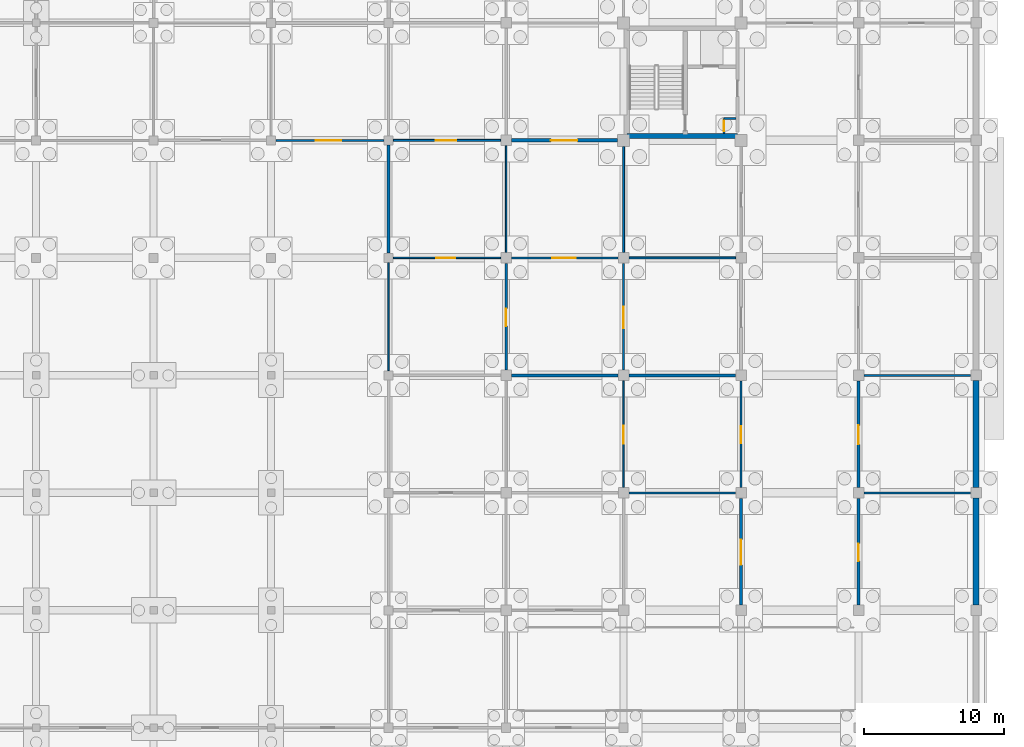
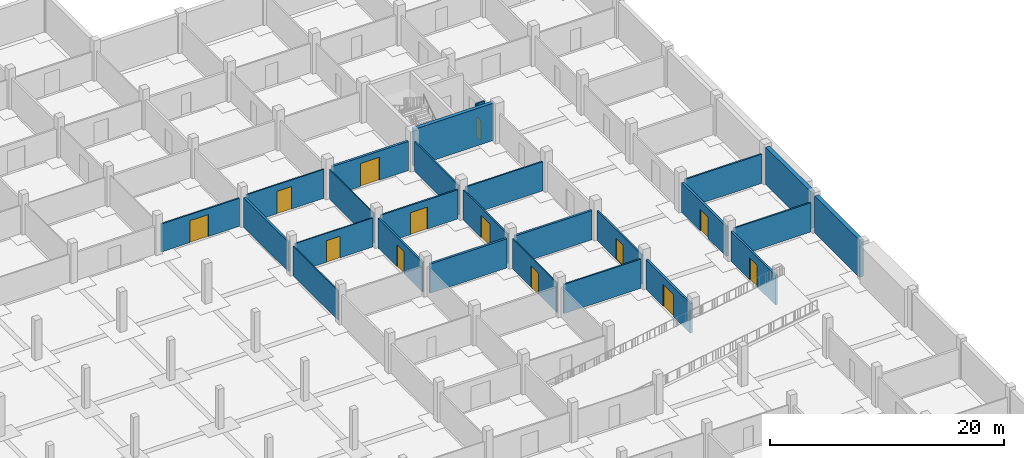
# One storey, part 35 of 43: 27 walls, 13 doors, 13 openings.
"""IFC4 building model written with IfcOpenShell, lengths in metres."""

import ifcopenshell
import ifcopenshell.guid

model = None  # the IFC model being written
_history = None  # IfcOwnerHistory: only IFC2X3 demands one
_inside = {}  # id of a spatial element -> (the spatial element, [elements in it])
_under = {}  # id of a project, library or spatial element -> (it, [spatial elements below it])
_declared = {}  # id of a project -> (the project, [libraries it declares])
_typed = {}  # id of a type object -> (the type object, [elements of that type])
_made_of = {}  # id of a material, layer set ... -> (it, [elements and type objects made of it])


def new_model(schema):
    """Start an empty IFC model of exactly this schema.

    Asked for "IFC4X3", IfcOpenShell would pick the latest addendum, in which some entities
    have other attributes; the version numbers below select the first issue.
    IFC2X3 requires an IfcOwnerHistory on every rooted entity: one is made here for all.
    """
    global model, _history
    if schema == "IFC4X3":
        model = ifcopenshell.file(schema_version=(4, 3, 0, 0))
    else:
        model = ifcopenshell.file(schema=schema)
    _inside.clear()
    _under.clear()
    _declared.clear()
    _typed.clear()
    _made_of.clear()
    _history = None
    if model.schema == "IFC2X3":
        org = make("IfcOrganization", Name="unknown")
        user = make(
            "IfcPersonAndOrganization",
            ThePerson=make("IfcPerson", FamilyName="unknown"),
            TheOrganization=org,
        )
        app = make(
            "IfcApplication",
            ApplicationDeveloper=org,
            Version="unknown",
            ApplicationFullName="unknown",
            ApplicationIdentifier="unknown",
        )
        _history = make(
            "IfcOwnerHistory",
            OwningUser=user,
            OwningApplication=app,
            ChangeAction="ADDED",
            CreationDate=0,
        )
    return model


def make(cls, **values):
    """One entity of the class cls with the attributes given. An attribute that is None is left unset."""
    return model.create_entity(
        cls, **{name: value for name, value in values.items() if value is not None}
    )


def rooted(cls, **values):
    """An entity with a GlobalId (a new one), such as an element, a storey or a relation."""
    return make(cls, GlobalId=ifcopenshell.guid.new(), OwnerHistory=_history, **values)


def si_unit(unit_type, name, prefix=None):
    """IfcSIUnit, for example si_unit("LENGTHUNIT", "METRE", prefix="MILLI")."""
    return make("IfcSIUnit", UnitType=unit_type, Prefix=prefix, Name=name)


def assignment(units):
    """IfcUnitAssignment: the units of a project."""
    return None if units is None else make("IfcUnitAssignment", Units=units)


def point(xyz):
    """IfcCartesianPoint."""
    return None if xyz is None else make("IfcCartesianPoint", Coordinates=xyz)


def direction(xyz):
    """IfcDirection."""
    return None if xyz is None else make("IfcDirection", DirectionRatios=xyz)


def frame(location, z_axis=None, x_axis=None):
    """IfcAxis2Placement3D, a coordinate frame: its origin and axes. An axis left out is left unset."""
    return make(
        "IfcAxis2Placement3D",
        Location=point(location),
        Axis=direction(z_axis),
        RefDirection=direction(x_axis),
    )


def frame_2d(location, x_axis=None):
    """IfcAxis2Placement2D, a coordinate frame in the plane: its origin and x axis."""
    return make(
        "IfcAxis2Placement2D", Location=point(location), RefDirection=direction(x_axis)
    )


def origin():
    """The frame at (0, 0, 0) with its axes left unset."""
    return frame((0.0, 0.0, 0.0))


def place(relative_to, where):
    """IfcLocalPlacement: puts the frame where relative to a parent placement (None: the world)."""
    return make(
        "IfcLocalPlacement", PlacementRelTo=relative_to, RelativePlacement=where
    )


def context(
    kind, dimensions, precision=None, world=None, true_north=None, identifier=None
):
    """IfcGeometricRepresentationContext, for example the 3D "Model" context."""
    return make(
        "IfcGeometricRepresentationContext",
        ContextIdentifier=identifier,
        ContextType=kind,
        CoordinateSpaceDimension=dimensions,
        Precision=precision,
        WorldCoordinateSystem=world,
        TrueNorth=true_north,
    )


def subcontext(parent, identifier, kind, view, scale=None):
    """IfcGeometricRepresentationSubContext, for example "Body" below "Model"."""
    return make(
        "IfcGeometricRepresentationSubContext",
        ContextIdentifier=identifier,
        ContextType=kind,
        ParentContext=parent,
        TargetScale=scale,
        TargetView=view,
    )


def project(units=None, contexts=None):
    """IfcProject with its units and contexts."""
    return rooted(
        "IfcProject",
        Name="project",
        RepresentationContexts=contexts,
        UnitsInContext=assignment(units),
    )


def spatial(cls, under=None, at=None, **own):
    """A site, building, storey or space (cls), placed at a placement, below another one or the project."""
    s = rooted(cls, ObjectPlacement=at, **own)
    if under is not None:
        _under.setdefault(under.id(), (under, []))[1].append(s)
    return s


def profile(cls, at=None, kind="AREA", **sizes):
    """A parametric profile (cls). Its sizes go by their IFC names, for example OverallWidth=200.0."""
    return make(cls, ProfileType=kind, Position=at, **sizes)


def rectangle(**sizes):
    """IfcRectangleProfileDef."""
    return profile("IfcRectangleProfileDef", **sizes)


def extrude(swept, where, along, depth):
    """IfcExtrudedAreaSolid: the profile swept, set in the frame where, extruded along a direction by depth."""
    return make(
        "IfcExtrudedAreaSolid",
        SweptArea=swept,
        Position=where,
        ExtrudedDirection=direction(along),
        Depth=depth,
    )


def shape(context_of_items, identifier, shape_type, items):
    """IfcShapeRepresentation: the items that make up one representation, for example the "Body"."""
    return make(
        "IfcShapeRepresentation",
        ContextOfItems=context_of_items,
        RepresentationIdentifier=identifier,
        RepresentationType=shape_type,
        Items=items,
    )


def material(Name=None, Category=None):
    """IfcMaterial."""
    return make("IfcMaterial", Name=Name, Category=Category)


def layer(
    of_material, thickness, ventilated=None, Name=None, Category=None, Priority=None
):
    """IfcMaterialLayer: one layer of a wall or slab, of a material (None: an air gap)."""
    return make(
        "IfcMaterialLayer",
        Material=of_material,
        LayerThickness=thickness,
        IsVentilated=ventilated,
        Name=Name,
        Category=Category,
        Priority=Priority,
    )


def layer_set(layers, Name=None):
    """IfcMaterialLayerSet."""
    return make("IfcMaterialLayerSet", MaterialLayers=layers, LayerSetName=Name)


def made_of(thing, what):
    """Note that an element or type object is made of a material, layer set ...; save() writes the relation."""
    if what is not None:
        _made_of.setdefault(what.id(), (what, []))[1].append(thing)
    return thing


def type_object(cls, material=None, **own):
    """A type object (cls), such as IfcWallType, which elements share."""
    return made_of(rooted(cls, **own), material)


def element(
    cls,
    number,
    at=None,
    inside=None,
    cuts=None,
    type_object=None,
    material=None,
    context=None,
    identifier="Body",
    shape_type=None,
    held_by="IfcProductDefinitionShape",
    body=None,
    shapes=None,
    **own,
):
    """One element of the class cls, such as IfcWall. Its Tag is "e" and its number.

    at: its placement. inside: the storey or other place that contains it. cuts: it is an
    opening in that element (IfcRelVoidsElement). A single representation is given by context,
    identifier, shape_type and body (its items); several are given by shapes. held_by: the class
    of the entity that holds the representations. save() writes the other relations.
    """
    e = rooted(cls, Tag="e%d" % number, ObjectPlacement=at, **own)
    if body is not None:
        shapes = [shape(context, identifier, shape_type, body)]
    if shapes is not None:
        e.Representation = make(held_by, Representations=shapes)
    if inside is not None:
        _inside.setdefault(inside.id(), (inside, []))[1].append(e)
    if cuts is not None:
        rooted(
            "IfcRelVoidsElement", RelatingBuildingElement=cuts, RelatedOpeningElement=e
        )
    if type_object is not None:
        _typed.setdefault(type_object.id(), (type_object, []))[1].append(e)
    return made_of(e, material)


def fill(opening, filler):
    """IfcRelFillsElement: the door or window that sits in an opening."""
    return rooted(
        "IfcRelFillsElement",
        RelatingOpeningElement=opening,
        RelatedBuildingElement=filler,
    )


def aggregate(whole, parts):
    """IfcRelAggregates: a whole, such as a stair, and the parts it consists of."""
    return rooted("IfcRelAggregates", RelatingObject=whole, RelatedObjects=parts)


def save(model, path):
    """Write the relations noted so far, then the file.

    IfcRelAggregates (storeys below a building ...), IfcRelContainedInSpatialStructure (elements
    in a storey), IfcRelDefinesByType, IfcRelAssociatesMaterial and IfcRelDeclares: one each for
    every whole, place, type object, material and project.
    """
    for whole, parts in _under.values():
        aggregate(whole, parts)
    for where, things in _inside.values():
        rooted(
            "IfcRelContainedInSpatialStructure",
            RelatedElements=things,
            RelatingStructure=where,
        )
    for kind, things in _typed.values():
        rooted("IfcRelDefinesByType", RelatedObjects=things, RelatingType=kind)
    for what, things in _made_of.values():
        rooted("IfcRelAssociatesMaterial", RelatedObjects=things, RelatingMaterial=what)
    for by, libraries in _declared.values():
        rooted("IfcRelDeclares", RelatingContext=by, RelatedDefinitions=libraries)
    model.write(path)


model = new_model("IFC4")

# Units and contexts
model_context = context("Model", 3, precision=1e-05, world=origin(), true_north=direction((0.0, 1.0)))
body_context = subcontext(model_context, "Body", "Model", "MODEL_VIEW")
ifc_project = project(units=[si_unit("LENGTHUNIT", "METRE"), si_unit("AREAUNIT", "SQUARE_METRE"), si_unit("VOLUMEUNIT", "CUBIC_METRE"), si_unit("PLANEANGLEUNIT", "RADIAN"), si_unit("MASSUNIT", "GRAM", prefix="KILO")], contexts=[model_context])

# Site, building, storey
site_placement = place(None, origin())
site = spatial("IfcSite", under=ifc_project, at=site_placement, CompositionType="ELEMENT")
building_placement = place(site_placement, origin())
building = spatial("IfcBuilding", under=site, at=building_placement, Name="Varnapada Polytechnic", CompositionType="ELEMENT")
storey_placement = place(building_placement, frame((0.0, 0.0, -4.199951171875)))
storey = spatial("IfcBuildingStorey", under=building, at=storey_placement, Name="B1", CompositionType="ELEMENT", Elevation=-4.199951171875)

# Wall, opening, door
ifc_material_1 = material(Name="Autoclaved Aerated Concrete Block AAC-600", Category="concrete")
ifc_layer_1 = layer(ifc_material_1, 0.14990234375)
ifc_layer_set_1 = layer_set([ifc_layer_1], Name="Autoclaved Aerated Concrete Block AAC-600")
wall_type_1 = type_object("IfcWallType", Name="Interior Wall IW-02", PredefinedType="PARTITIONING", material=ifc_layer_set_1)
wall_1_placement = place(storey_placement, frame((158.3798828125, 93.9599609375, 0.0), z_axis=(0.0, 0.0, 1.0), x_axis=(0.0, -1.0, 0.0)))
wall_1 = element("IfcWall", 1, at=wall_1_placement, inside=storey, type_object=wall_type_1, Name="B1 C5 riser shaft west wall", PredefinedType="PARTITIONING", context=body_context, shape_type="SweptSolid", body=[
    extrude(rectangle(XDim=1.06005859375, YDim=0.14990234375, at=frame_2d((0.530029296875, 0.0))), origin(), (0.0, 0.0, 1.0), 3.320068359375),
])
opening_1_placement = place(wall_1_placement, frame((0.159912109375, 0.0, 0.0)))
opening_1 = element("IfcOpeningElement", 2, at=opening_1_placement, cuts=wall_1, Name="Opening TD-06", PredefinedType="OPENING", context=body_context, shape_type="SweptSolid", body=[
    extrude(rectangle(XDim=0.75, YDim=2.050048828125, at=frame_2d((0.375, 1.02490234375))), frame((0.0, 0.0849609375, 0.0), z_axis=(0.0, -1.0, 0.0), x_axis=(1.0, 0.0, 0.0)), (0.0, 0.0, 1.0), 0.169921875),
])
ifc_material_2 = material(Name="Galvanized Steel Z275", Category="steel")
door_type_1 = type_object("IfcDoorType", Name="Interior Door TD-01", OperationType="NOTDEFINED", PredefinedType="TRAPDOOR", material=ifc_material_2)
door_1_placement = place(opening_1_placement, origin())
door_1 = element("IfcDoor", 3, at=door_1_placement, inside=storey, type_object=door_type_1, Name="B1 C5 riser access door TD-06", OperationType="SINGLE_SWING_LEFT", OverallHeight=2.050048828125, OverallWidth=0.75, PredefinedType="TRAPDOOR", context=body_context, shape_type="SweptSolid", body=[
    extrude(rectangle(XDim=0.75, YDim=2.050048828125, at=frame_2d((0.375, 1.02490234375))), frame((0.0, 0.02490234375, 0.0), z_axis=(0.0, -1.0, 0.0), x_axis=(1.0, 0.0, 0.0)), (0.0, 0.0, 1.0), 0.050048828125),
])
fill(opening_1, door_1)

# Walls
wall_2_placement = place(storey_placement, frame((158.3798828125, 93.9599609375, 0.0), z_axis=(0.0, 0.0, 1.0), x_axis=(1.0, 0.0, 0.0)))
element("IfcWall", 4, at=wall_2_placement, inside=storey, type_object=wall_type_1, Name="B1 C5 riser shaft north wall", PredefinedType="PARTITIONING", context=body_context, shape_type="SweptSolid", body=[
    extrude(rectangle(XDim=0.860107421875, YDim=0.14990234375, at=frame_2d((0.43017578125, 0.0))), origin(), (0.0, 0.0, 1.0), 3.320068359375),
])
ifc_material_3 = material(Name="Moisture-Resistant Cement Board Partition")
ifc_layer_2 = layer(ifc_material_3, 0.139892578125)
ifc_layer_set_2 = layer_set([ifc_layer_2], Name="Moisture-Resistant Cement Board Partition")
wall_type_2 = type_object("IfcWallType", Name="Interior Wall IW-04", PredefinedType="PARTITIONING", material=ifc_layer_set_2)
wall_3_placement = place(storey_placement, frame((151.199951171875, 84.39501953125, 0.0), z_axis=(0.0, 0.0, 1.0), x_axis=(0.0, 1.0, 0.0)))
element("IfcWall", 5, at=wall_3_placement, inside=storey, type_object=wall_type_2, Name="B1 interior partition IW-B1-17-10-V", PredefinedType="PARTITIONING", context=body_context, shape_type="SweptSolid", body=[
    extrude(rectangle(XDim=7.56005859375, YDim=0.139892578125, at=frame_2d((3.780029296875, 0.0))), origin(), (0.0, 0.0, 1.0), 3.099853515625),
])
wall_4_placement = place(storey_placement, frame((151.594970703125, 84.0, 0.0), z_axis=(0.0, 0.0, 1.0), x_axis=(1.0, 0.0, 0.0)))
element("IfcWall", 6, at=wall_4_placement, inside=storey, type_object=wall_type_2, Name="B1 interior partition IW-B1-18-09-H", PredefinedType="PARTITIONING", context=body_context, shape_type="SweptSolid", body=[
    extrude(rectangle(XDim=7.610107421875, YDim=0.139892578125, at=frame_2d((3.80517578125, 0.0))), origin(), (0.0, 0.0, 1.0), 3.050048828125),
])

# Wall, opening, door
ifc_material_4 = material(Name="Acoustic Double-Stud Studio Partition")
ifc_layer_3 = layer(ifc_material_4, 0.179931640625)
ifc_layer_set_3 = layer_set([ifc_layer_3], Name="Acoustic Double-Stud Studio Partition")
wall_type_3 = type_object("IfcWallType", Name="Interior Wall IW-06", PredefinedType="PARTITIONING", material=ifc_layer_set_3)
wall_5_placement = place(storey_placement, frame((142.800048828125, 75.9951171875, 0.0), z_axis=(0.0, 0.0, 1.0), x_axis=(0.0, 1.0, 0.0)))
wall_5 = element("IfcWall", 7, at=wall_5_placement, inside=storey, type_object=wall_type_3, Name="B1 interior partition IW-B1-16-09-V", PredefinedType="PARTITIONING", context=body_context, shape_type="SweptSolid", body=[
    extrude(rectangle(XDim=7.60986328125, YDim=0.179931640625, at=frame_2d((3.804931640625, 0.0))), origin(), (0.0, 0.0, 1.0), 3.099853515625),
])
opening_2_placement = place(wall_5_placement, frame((3.125, 0.0, 0.0)))
opening_2 = element("IfcOpeningElement", 8, at=opening_2_placement, cuts=wall_5, Name="Opening D-762", PredefinedType="OPENING", context=body_context, shape_type="SweptSolid", body=[
    extrude(rectangle(XDim=1.25, YDim=2.300048828125, at=frame_2d((0.625, 1.14990234375))), frame((0.0, 0.099853515625, 0.0), z_axis=(0.0, -1.0, 0.0), x_axis=(1.0, 0.0, 0.0)), (0.0, 0.0, 1.0), 0.199951171875),
])
ifc_material_5 = material(Name="Solid Teak Hardwood Timber", Category="wood")
door_type_2 = type_object("IfcDoorType", Name="Interior Door ID-16", OperationType="NOTDEFINED", PredefinedType="DOOR", material=ifc_material_5)
door_2_placement = place(opening_2_placement, origin())
door_2 = element("IfcDoor", 9, at=door_2_placement, inside=storey, type_object=door_type_2, Name="B1 interior room door D-762", OperationType="SINGLE_SWING_LEFT", OverallHeight=2.300048828125, OverallWidth=1.25, PredefinedType="DOOR", context=body_context, shape_type="SweptSolid", body=[
    extrude(rectangle(XDim=1.25, YDim=2.300048828125, at=frame_2d((0.625, 1.14990234375))), frame((0.0, 0.02490234375, 0.0), z_axis=(0.0, -1.0, 0.0), x_axis=(1.0, 0.0, 0.0)), (0.0, 0.0, 1.0), 0.050048828125),
])
fill(opening_2, door_2)

ifc_material_6 = material(Name="Glazed Timber-Framed Studio Screen", Category="wood")
ifc_layer_4 = layer(ifc_material_6, 0.110107421875)
ifc_layer_set_4 = layer_set([ifc_layer_4], Name="Glazed Timber-Framed Studio Screen")
wall_type_4 = type_object("IfcWallType", Name="Interior Wall IW-07", PredefinedType="PARTITIONING", material=ifc_layer_set_4)
wall_6_placement = place(storey_placement, frame((134.7451171875, 84.0, 0.0), z_axis=(0.0, 0.0, 1.0), x_axis=(1.0, 0.0, 0.0)))
wall_6 = element("IfcWall", 10, at=wall_6_placement, inside=storey, type_object=wall_type_4, Name="B1 interior partition IW-B1-16-09-H", PredefinedType="PARTITIONING", context=body_context, shape_type="SweptSolid", body=[
    extrude(rectangle(XDim=7.659912109375, YDim=0.110107421875, at=frame_2d((3.830078125, 0.0))), origin(), (0.0, 0.0, 1.0), 3.030029296875),
])
opening_3_placement = place(wall_6_placement, frame((3.074951171875, 0.0, 0.0)))
opening_3 = element("IfcOpeningElement", 11, at=opening_3_placement, cuts=wall_6, Name="Opening D-763", PredefinedType="OPENING", context=body_context, shape_type="SweptSolid", body=[
    extrude(rectangle(XDim=1.35009765625, YDim=2.25, at=frame_2d((0.675048828125, 1.125))), frame((0.0, 0.06494140625, 0.0), z_axis=(0.0, -1.0, 0.0), x_axis=(1.0, 0.0, 0.0)), (0.0, 0.0, 1.0), 0.130126953125),
])
ifc_material_7 = material(Name="Powder-Coated Aluminium 6063-T6", Category="aluminium")
door_type_3 = type_object("IfcDoorType", Name="Interior Door ID-17", OperationType="NOTDEFINED", PredefinedType="DOOR", material=ifc_material_7)
door_3_placement = place(opening_3_placement, origin())
door_3 = element("IfcDoor", 12, at=door_3_placement, inside=storey, type_object=door_type_3, Name="B1 interior room door D-763", OperationType="SINGLE_SWING_RIGHT", OverallHeight=2.25, OverallWidth=1.35009765625, PredefinedType="DOOR", context=body_context, shape_type="SweptSolid", body=[
    extrude(rectangle(XDim=1.35009765625, YDim=2.25, at=frame_2d((0.675048828125, 1.125))), frame((0.0, 0.02490234375, 0.0), z_axis=(0.0, -1.0, 0.0), x_axis=(1.0, 0.0, 0.0)), (0.0, 0.0, 1.0), 0.050048828125),
])
fill(opening_3, door_3)

# Wall
ifc_material_8 = material(Name="Operable Acoustic Seminar Partition")
ifc_layer_5 = layer(ifc_material_8, 0.10009765625)
ifc_layer_set_5 = layer_set([ifc_layer_5], Name="Operable Acoustic Seminar Partition")
wall_type_5 = type_object("IfcWallType", Name="Interior Wall IW-08", PredefinedType="MOVABLE", material=ifc_layer_set_5)
wall_7_placement = place(storey_placement, frame((142.800048828125, 84.39501953125, 0.0), z_axis=(0.0, 0.0, 1.0), x_axis=(0.0, 1.0, 0.0)))
element("IfcWall", 13, at=wall_7_placement, inside=storey, type_object=wall_type_5, Name="B1 interior partition IW-B1-16-10-V", PredefinedType="MOVABLE", context=body_context, shape_type="SweptSolid", body=[
    extrude(rectangle(XDim=7.60986328125, YDim=0.10009765625, at=frame_2d((3.804931640625, 0.0))), origin(), (0.0, 0.0, 1.0), 3.099853515625),
])

# Wall, opening, door
ifc_material_9 = material(Name="Calcium Silicate Acoustic Lab Partition")
ifc_layer_6 = layer(ifc_material_9, 0.135009765625)
ifc_layer_set_6 = layer_set([ifc_layer_6], Name="Calcium Silicate Acoustic Lab Partition")
wall_type_6 = type_object("IfcWallType", Name="Interior Wall IW-09", PredefinedType="PARTITIONING", material=ifc_layer_set_6)
wall_8_placement = place(storey_placement, frame((134.7451171875, 92.39990234375, 0.0), z_axis=(0.0, 0.0, 1.0), x_axis=(1.0, 0.0, 0.0)))
wall_8 = element("IfcWall", 14, at=wall_8_placement, inside=storey, type_object=wall_type_6, Name="B1 interior partition IW-B1-16-10-H", PredefinedType="PARTITIONING", context=body_context, shape_type="SweptSolid", body=[
    extrude(rectangle(XDim=7.659912109375, YDim=0.135009765625, at=frame_2d((3.830078125, 0.0))), origin(), (0.0, 0.0, 1.0), 3.030029296875),
])
opening_4_placement = place(wall_8_placement, frame((3.02490234375, 0.0, 0.0)))
opening_4 = element("IfcOpeningElement", 15, at=opening_4_placement, cuts=wall_8, Name="Opening D-764", PredefinedType="OPENING", context=body_context, shape_type="SweptSolid", body=[
    extrude(rectangle(XDim=1.449951171875, YDim=2.35009765625, at=frame_2d((0.72509765625, 1.175048828125))), frame((0.0, 0.077392578125, 0.0), z_axis=(0.0, -1.0, 0.0), x_axis=(1.0, 0.0, 0.0)), (0.0, 0.0, 1.0), 0.155029296875),
])
door_type_4 = type_object("IfcDoorType", Name="Interior Door ID-18", OperationType="NOTDEFINED", PredefinedType="DOOR", material=ifc_material_2)
door_4_placement = place(opening_4_placement, frame((1.449951171875, 0.0, 0.0), z_axis=(0.0, 0.0, 1.0), x_axis=(-1.0, 0.0, 0.0)))
door_4 = element("IfcDoor", 16, at=door_4_placement, inside=storey, type_object=door_type_4, Name="B1 interior room door D-764", OperationType="SINGLE_SWING_LEFT", OverallHeight=2.35009765625, OverallWidth=1.449951171875, PredefinedType="DOOR", context=body_context, shape_type="SweptSolid", body=[
    extrude(rectangle(XDim=1.449951171875, YDim=2.35009765625, at=frame_2d((0.72509765625, 1.175048828125))), frame((0.0, 0.02490234375, 0.0), z_axis=(0.0, -1.0, 0.0), x_axis=(1.0, 0.0, 0.0)), (0.0, 0.0, 1.0), 0.050048828125),
])
fill(opening_4, door_4)

# Wall
ifc_material_10 = material(Name="Timber-Stud Studio Critique Partition", Category="wood")
ifc_layer_7 = layer(ifc_material_10, 0.114990234375)
ifc_layer_set_7 = layer_set([ifc_layer_7], Name="Timber-Stud Studio Critique Partition")
wall_type_7 = type_object("IfcWallType", Name="Interior Wall IW-12", PredefinedType="PARTITIONING", material=ifc_layer_set_7)
wall_9_placement = place(storey_placement, frame((134.39990234375, 75.945068359375, 0.0), z_axis=(0.0, 0.0, 1.0), x_axis=(0.0, 1.0, 0.0)))
element("IfcWall", 17, at=wall_9_placement, inside=storey, type_object=wall_type_7, Name="B1 interior partition IW-B1-15-09-V", PredefinedType="PARTITIONING", context=body_context, shape_type="SweptSolid", body=[
    extrude(rectangle(XDim=7.7099609375, YDim=0.114990234375, at=frame_2d((3.85498046875, 0.0))), origin(), (0.0, 0.0, 1.0), 3.079833984375),
])

# Wall, opening, door
wall_10_placement = place(storey_placement, frame((151.199951171875, 67.594970703125, 0.0), z_axis=(0.0, 0.0, 1.0), x_axis=(0.0, 1.0, 0.0)))
wall_10 = element("IfcWall", 18, at=wall_10_placement, inside=storey, type_object=wall_type_7, Name="B1 interior partition IW-B1-17-08-V", PredefinedType="PARTITIONING", context=body_context, shape_type="SweptSolid", body=[
    extrude(rectangle(XDim=7.610107421875, YDim=0.114990234375, at=frame_2d((3.80517578125, 0.0))), origin(), (0.0, 0.0, 1.0), 3.099853515625),
])
opening_5_placement = place(wall_10_placement, frame((3.10009765625, 0.0, 0.0)))
opening_5 = element("IfcOpeningElement", 19, at=opening_5_placement, cuts=wall_10, Name="Opening D-774", PredefinedType="OPENING", context=body_context, shape_type="SweptSolid", body=[
    extrude(rectangle(XDim=1.300048828125, YDim=2.199951171875, at=frame_2d((0.64990234375, 1.10009765625))), frame((0.0, 0.0673828125, 0.0), z_axis=(0.0, -1.0, 0.0), x_axis=(1.0, 0.0, 0.0)), (0.0, 0.0, 1.0), 0.135009765625),
])
ifc_material_11 = material(Name="Acoustic Laminated Timber Leaf", Category="wood")
door_type_5 = type_object("IfcDoorType", Name="Interior Door ID-11", OperationType="NOTDEFINED", PredefinedType="DOOR", material=ifc_material_11)
door_5_placement = place(opening_5_placement, origin())
door_5 = element("IfcDoor", 20, at=door_5_placement, inside=storey, type_object=door_type_5, Name="B1 interior room door D-774", OperationType="SINGLE_SWING_LEFT", OverallHeight=2.199951171875, OverallWidth=1.300048828125, PredefinedType="DOOR", context=body_context, shape_type="SweptSolid", body=[
    extrude(rectangle(XDim=1.300048828125, YDim=2.199951171875, at=frame_2d((0.64990234375, 1.10009765625))), frame((0.0, 0.02490234375, 0.0), z_axis=(0.0, -1.0, 0.0), x_axis=(1.0, 0.0, 0.0)), (0.0, 0.0, 1.0), 0.050048828125),
])
fill(opening_5, door_5)

# Walls
ifc_material_12 = material(Name="Heavy Acoustic Auditorium Baffle Wall")
ifc_layer_8 = layer(ifc_material_12, 0.219970703125)
ifc_layer_set_8 = layer_set([ifc_layer_8], Name="Heavy Acoustic Auditorium Baffle Wall")
wall_type_8 = type_object("IfcWallType", Name="Interior Wall IW-13", PredefinedType="PARTITIONING", material=ifc_layer_set_8)
wall_11_placement = place(storey_placement, frame((134.39990234375, 84.344970703125, 0.0), z_axis=(0.0, 0.0, 1.0), x_axis=(0.0, 1.0, 0.0)))
element("IfcWall", 21, at=wall_11_placement, inside=storey, type_object=wall_type_8, Name="B1 interior partition IW-B1-15-10-V", PredefinedType="PARTITIONING", context=body_context, shape_type="SweptSolid", body=[
    extrude(rectangle(XDim=7.7099609375, YDim=0.219970703125, at=frame_2d((3.85498046875, 0.0))), origin(), (0.0, 0.0, 1.0), 3.079833984375),
])
wall_12_placement = place(storey_placement, frame((143.195068359375, 75.60009765625, 0.0), z_axis=(0.0, 0.0, 1.0), x_axis=(1.0, 0.0, 0.0)))
element("IfcWall", 22, at=wall_12_placement, inside=storey, type_object=wall_type_8, Name="B1 interior partition IW-B1-17-08-H", PredefinedType="PARTITIONING", context=body_context, shape_type="SweptSolid", body=[
    extrude(rectangle(XDim=7.60986328125, YDim=0.219970703125, at=frame_2d((3.804931640625, 0.0))), origin(), (0.0, 0.0, 1.0), 3.050048828125),
])

# Wall, opening, door
wall_13_placement = place(storey_placement, frame((159.60009765625, 59.195068359375, 0.0), z_axis=(0.0, 0.0, 1.0), x_axis=(0.0, 1.0, 0.0)))
wall_13 = element("IfcWall", 23, at=wall_13_placement, inside=storey, type_object=wall_type_8, Name="B1 interior partition IW-B1-18-07-V", PredefinedType="PARTITIONING", context=body_context, shape_type="SweptSolid", body=[
    extrude(rectangle(XDim=7.60986328125, YDim=0.219970703125, at=frame_2d((3.804931640625, 0.0))), origin(), (0.0, 0.0, 1.0), 3.099853515625),
])
opening_6_placement = place(wall_13_placement, frame((2.85009765625, 0.0, 0.0)))
opening_6 = element("IfcOpeningElement", 24, at=opening_6_placement, cuts=wall_13, Name="Opening D-784", PredefinedType="OPENING", context=body_context, shape_type="SweptSolid", body=[
    extrude(rectangle(XDim=1.800048828125, YDim=2.300048828125, at=frame_2d((0.89990234375, 1.14990234375))), frame((0.0, 0.119873046875, 0.0), z_axis=(0.0, -1.0, 0.0), x_axis=(1.0, 0.0, 0.0)), (0.0, 0.0, 1.0), 0.239990234375),
])
ifc_material_13 = material(Name="Acoustic Double Timber Leaf", Category="wood")
door_type_6 = type_object("IfcDoorType", Name="Interior Door ID-04", OperationType="NOTDEFINED", PredefinedType="DOOR", material=ifc_material_13)
door_6_placement = place(opening_6_placement, origin())
door_6 = element("IfcDoor", 25, at=door_6_placement, inside=storey, type_object=door_type_6, Name="B1 interior room door D-784", OperationType="SINGLE_SWING_LEFT", OverallHeight=2.300048828125, OverallWidth=1.800048828125, PredefinedType="DOOR", context=body_context, shape_type="SweptSolid", body=[
    extrude(rectangle(XDim=1.800048828125, YDim=2.300048828125, at=frame_2d((0.89990234375, 1.14990234375))), frame((0.0, 0.02490234375, 0.0), z_axis=(0.0, -1.0, 0.0), x_axis=(1.0, 0.0, 0.0)), (0.0, 0.0, 1.0), 0.050048828125),
])
fill(opening_6, door_6)

ifc_material_14 = material(Name="Ceramic-Tiled Wet Laboratory Wall")
ifc_layer_9 = layer(ifc_material_14, 0.14501953125)
ifc_layer_set_9 = layer_set([ifc_layer_9], Name="Ceramic-Tiled Wet Laboratory Wall")
wall_type_9 = type_object("IfcWallType", Name="Interior Wall IW-14", PredefinedType="PARTITIONING", material=ifc_layer_set_9)
wall_14_placement = place(storey_placement, frame((126.344970703125, 92.39990234375, 0.0), z_axis=(0.0, 0.0, 1.0), x_axis=(1.0, 0.0, 0.0)))
wall_14 = element("IfcWall", 26, at=wall_14_placement, inside=storey, type_object=wall_type_9, Name="B1 interior partition IW-B1-15-10-H", PredefinedType="PARTITIONING", context=body_context, shape_type="SweptSolid", body=[
    extrude(rectangle(XDim=7.7099609375, YDim=0.14501953125, at=frame_2d((3.85498046875, 0.0))), origin(), (0.0, 0.0, 1.0), 2.929931640625),
])
opening_7_placement = place(wall_14_placement, frame((2.85009765625, 0.0, 0.0)))
opening_7 = element("IfcOpeningElement", 27, at=opening_7_placement, cuts=wall_14, Name="Opening D-750", PredefinedType="OPENING", context=body_context, shape_type="SweptSolid", body=[
    extrude(rectangle(XDim=1.800048828125, YDim=2.300048828125, at=frame_2d((0.89990234375, 1.14990234375))), frame((0.0, 0.08251953125, 0.0), z_axis=(0.0, -1.0, 0.0), x_axis=(1.0, 0.0, 0.0)), (0.0, 0.0, 1.0), 0.1650390625),
])
door_7_placement = place(opening_7_placement, origin())
door_7 = element("IfcDoor", 28, at=door_7_placement, inside=storey, type_object=door_type_6, Name="B1 interior room door D-750", OperationType="SINGLE_SWING_LEFT", OverallHeight=2.300048828125, OverallWidth=1.800048828125, PredefinedType="DOOR", context=body_context, shape_type="SweptSolid", body=[
    extrude(rectangle(XDim=1.800048828125, YDim=2.300048828125, at=frame_2d((0.89990234375, 1.14990234375))), frame((0.0, 0.02490234375, 0.0), z_axis=(0.0, -1.0, 0.0), x_axis=(1.0, 0.0, 0.0)), (0.0, 0.0, 1.0), 0.050048828125),
])
fill(opening_7, door_7)

wall_15_placement = place(storey_placement, frame((151.199951171875, 75.9951171875, 0.0), z_axis=(0.0, 0.0, 1.0), x_axis=(0.0, 1.0, 0.0)))
wall_15 = element("IfcWall", 29, at=wall_15_placement, inside=storey, type_object=wall_type_9, Name="B1 interior partition IW-B1-17-09-V", PredefinedType="PARTITIONING", context=body_context, shape_type="SweptSolid", body=[
    extrude(rectangle(XDim=7.60986328125, YDim=0.14501953125, at=frame_2d((3.804931640625, 0.0))), origin(), (0.0, 0.0, 1.0), 3.099853515625),
])
opening_8_placement = place(wall_15_placement, frame((2.97509765625, 0.0, 0.0)))
opening_8 = element("IfcOpeningElement", 30, at=opening_8_placement, cuts=wall_15, Name="Opening D-775", PredefinedType="OPENING", context=body_context, shape_type="SweptSolid", body=[
    extrude(rectangle(XDim=1.550048828125, YDim=2.35009765625, at=frame_2d((0.77490234375, 1.175048828125))), frame((0.0, 0.08251953125, 0.0), z_axis=(0.0, -1.0, 0.0), x_axis=(1.0, 0.0, 0.0)), (0.0, 0.0, 1.0), 0.1650390625),
])
door_type_7 = type_object("IfcDoorType", Name="Interior Door ID-12", OperationType="NOTDEFINED", PredefinedType="DOOR", material=ifc_material_2)
door_8_placement = place(opening_8_placement, origin())
door_8 = element("IfcDoor", 31, at=door_8_placement, inside=storey, type_object=door_type_7, Name="B1 interior room door D-775", OperationType="SINGLE_SWING_RIGHT", OverallHeight=2.35009765625, OverallWidth=1.550048828125, PredefinedType="DOOR", context=body_context, shape_type="SweptSolid", body=[
    extrude(rectangle(XDim=1.550048828125, YDim=2.35009765625, at=frame_2d((0.77490234375, 1.175048828125))), frame((0.0, 0.02490234375, 0.0), z_axis=(0.0, -1.0, 0.0), x_axis=(1.0, 0.0, 0.0)), (0.0, 0.0, 1.0), 0.050048828125),
])
fill(opening_8, door_8)

# Walls
wall_16_placement = place(storey_placement, frame((151.594970703125, 67.199951171875, 0.0), z_axis=(0.0, 0.0, 1.0), x_axis=(1.0, 0.0, 0.0)))
element("IfcWall", 32, at=wall_16_placement, inside=storey, type_object=wall_type_9, Name="B1 interior partition IW-B1-18-07-H", PredefinedType="PARTITIONING", context=body_context, shape_type="SweptSolid", body=[
    extrude(rectangle(XDim=7.610107421875, YDim=0.14501953125, at=frame_2d((3.80517578125, 0.0))), origin(), (0.0, 0.0, 1.0), 3.050048828125),
])
wall_17_placement = place(storey_placement, frame((168.39501953125, 67.199951171875, 0.0), z_axis=(0.0, 0.0, 1.0), x_axis=(1.0, 0.0, 0.0)))
element("IfcWall", 33, at=wall_17_placement, inside=storey, type_object=wall_type_9, Name="B1 interior partition IW-B1-20-07-H", PredefinedType="PARTITIONING", context=body_context, shape_type="SweptSolid", body=[
    extrude(rectangle(XDim=7.60986328125, YDim=0.14501953125, at=frame_2d((3.804931640625, 0.0))), origin(), (0.0, 0.0, 1.0), 3.050048828125),
])

# Wall, opening, door
ifc_material_15 = material(Name="Perforated Timber-Lined Seminar Wall", Category="wood")
ifc_layer_10 = layer(ifc_material_15, 0.155029296875)
ifc_layer_set_10 = layer_set([ifc_layer_10], Name="Perforated Timber-Lined Seminar Wall")
wall_type_10 = type_object("IfcWallType", Name="Interior Wall IW-15", PredefinedType="PARTITIONING", material=ifc_layer_set_10)
wall_18_placement = place(storey_placement, frame((143.195068359375, 84.0, 0.0), z_axis=(0.0, 0.0, 1.0), x_axis=(1.0, 0.0, 0.0)))
wall_18 = element("IfcWall", 34, at=wall_18_placement, inside=storey, type_object=wall_type_10, Name="B1 interior partition IW-B1-17-09-H", PredefinedType="PARTITIONING", context=body_context, shape_type="SweptSolid", body=[
    extrude(rectangle(XDim=7.60986328125, YDim=0.155029296875, at=frame_2d((3.804931640625, 0.0))), origin(), (0.0, 0.0, 1.0), 3.050048828125),
])
opening_9_placement = place(wall_18_placement, frame((2.89990234375, 0.0, 0.0)))
opening_9 = element("IfcOpeningElement", 35, at=opening_9_placement, cuts=wall_18, Name="Opening D-776", PredefinedType="OPENING", context=body_context, shape_type="SweptSolid", body=[
    extrude(rectangle(XDim=1.699951171875, YDim=2.300048828125, at=frame_2d((0.85009765625, 1.14990234375))), frame((0.0, 0.08740234375, 0.0), z_axis=(0.0, -1.0, 0.0), x_axis=(1.0, 0.0, 0.0)), (0.0, 0.0, 1.0), 0.175048828125),
])
door_type_8 = type_object("IfcDoorType", Name="Interior Door ID-13", OperationType="NOTDEFINED", PredefinedType="DOOR", material=ifc_material_13)
door_9_placement = place(opening_9_placement, frame((1.699951171875, 0.0, 0.0), z_axis=(0.0, 0.0, 1.0), x_axis=(-1.0, 0.0, 0.0)))
door_9 = element("IfcDoor", 36, at=door_9_placement, inside=storey, type_object=door_type_8, Name="B1 interior room door D-776", OperationType="SINGLE_SWING_LEFT", OverallHeight=2.300048828125, OverallWidth=1.699951171875, PredefinedType="DOOR", context=body_context, shape_type="SweptSolid", body=[
    extrude(rectangle(XDim=1.699951171875, YDim=2.300048828125, at=frame_2d((0.85009765625, 1.14990234375))), frame((0.0, 0.02490234375, 0.0), z_axis=(0.0, -1.0, 0.0), x_axis=(1.0, 0.0, 0.0)), (0.0, 0.0, 1.0), 0.050048828125),
])
fill(opening_9, door_9)

wall_19_placement = place(storey_placement, frame((159.60009765625, 67.594970703125, 0.0), z_axis=(0.0, 0.0, 1.0), x_axis=(0.0, 1.0, 0.0)))
wall_19 = element("IfcWall", 37, at=wall_19_placement, inside=storey, type_object=wall_type_10, Name="B1 interior partition IW-B1-18-08-V", PredefinedType="PARTITIONING", context=body_context, shape_type="SweptSolid", body=[
    extrude(rectangle(XDim=7.610107421875, YDim=0.155029296875, at=frame_2d((3.80517578125, 0.0))), origin(), (0.0, 0.0, 1.0), 3.099853515625),
])
opening_10_placement = place(wall_19_placement, frame((3.14990234375, 0.0, 0.0)))
opening_10 = element("IfcOpeningElement", 38, at=opening_10_placement, cuts=wall_19, Name="Opening D-785", PredefinedType="OPENING", context=body_context, shape_type="SweptSolid", body=[
    extrude(rectangle(XDim=1.199951171875, YDim=2.199951171875, at=frame_2d((0.60009765625, 1.10009765625))), frame((0.0, 0.08740234375, 0.0), z_axis=(0.0, -1.0, 0.0), x_axis=(1.0, 0.0, 0.0)), (0.0, 0.0, 1.0), 0.175048828125),
])
door_type_9 = type_object("IfcDoorType", Name="Interior Door ID-05", OperationType="NOTDEFINED", PredefinedType="DOOR", material=ifc_material_5)
door_10_placement = place(opening_10_placement, frame((1.199951171875, 0.0, 0.0), z_axis=(0.0, 0.0, 1.0), x_axis=(-1.0, 0.0, 0.0)))
door_10 = element("IfcDoor", 39, at=door_10_placement, inside=storey, type_object=door_type_9, Name="B1 interior room door D-785", OperationType="SINGLE_SWING_RIGHT", OverallHeight=2.199951171875, OverallWidth=1.199951171875, PredefinedType="DOOR", context=body_context, shape_type="SweptSolid", body=[
    extrude(rectangle(XDim=1.199951171875, YDim=2.199951171875, at=frame_2d((0.60009765625, 1.10009765625))), frame((0.0, 0.02490234375, 0.0), z_axis=(0.0, -1.0, 0.0), x_axis=(1.0, 0.0, 0.0)), (0.0, 0.0, 1.0), 0.050048828125),
])
fill(opening_10, door_10)

# Walls
wall_20_placement = place(storey_placement, frame((168.39501953125, 75.60009765625, 0.0), z_axis=(0.0, 0.0, 1.0), x_axis=(1.0, 0.0, 0.0)))
element("IfcWall", 40, at=wall_20_placement, inside=storey, type_object=wall_type_10, Name="B1 interior partition IW-B1-20-08-H", PredefinedType="PARTITIONING", context=body_context, shape_type="SweptSolid", body=[
    extrude(rectangle(XDim=7.60986328125, YDim=0.155029296875, at=frame_2d((3.804931640625, 0.0))), origin(), (0.0, 0.0, 1.0), 3.050048828125),
])
ifc_material_16 = material(Name="Heavy Masonry Workshop Partition", Category="masonry")
ifc_layer_11 = layer(ifc_material_16, 0.2099609375)
ifc_layer_set_11 = layer_set([ifc_layer_11], Name="Heavy Masonry Workshop Partition")
wall_type_11 = type_object("IfcWallType", Name="Interior Wall IW-16", PredefinedType="PARTITIONING", material=ifc_layer_set_11)
wall_21_placement = place(storey_placement, frame((151.594970703125, 75.60009765625, 0.0), z_axis=(0.0, 0.0, 1.0), x_axis=(1.0, 0.0, 0.0)))
element("IfcWall", 41, at=wall_21_placement, inside=storey, type_object=wall_type_11, Name="B1 interior partition IW-B1-18-08-H", PredefinedType="PARTITIONING", context=body_context, shape_type="SweptSolid", body=[
    extrude(rectangle(XDim=7.610107421875, YDim=0.2099609375, at=frame_2d((3.80517578125, 0.0))), origin(), (0.0, 0.0, 1.0), 3.050048828125),
])

# Wall, opening, door
wall_22_placement = place(storey_placement, frame((168.0, 59.195068359375, 0.0), z_axis=(0.0, 0.0, 1.0), x_axis=(0.0, 1.0, 0.0)))
wall_22 = element("IfcWall", 42, at=wall_22_placement, inside=storey, type_object=wall_type_11, Name="B1 interior partition IW-B1-19-07-V", PredefinedType="PARTITIONING", context=body_context, shape_type="SweptSolid", body=[
    extrude(rectangle(XDim=7.60986328125, YDim=0.2099609375, at=frame_2d((3.804931640625, 0.0))), origin(), (0.0, 0.0, 1.0), 3.099853515625),
])
opening_11_placement = place(wall_22_placement, frame((3.125, 0.0, 0.0)))
opening_11 = element("IfcOpeningElement", 43, at=opening_11_placement, cuts=wall_22, Name="Opening D-796", PredefinedType="OPENING", context=body_context, shape_type="SweptSolid", body=[
    extrude(rectangle(XDim=1.25, YDim=2.300048828125, at=frame_2d((0.625, 1.14990234375))), frame((0.0, 0.114990234375, 0.0), z_axis=(0.0, -1.0, 0.0), x_axis=(1.0, 0.0, 0.0)), (0.0, 0.0, 1.0), 0.22998046875),
])
door_11_placement = place(opening_11_placement, origin())
door_11 = element("IfcDoor", 44, at=door_11_placement, inside=storey, type_object=door_type_2, Name="B1 interior room door D-796", OperationType="SINGLE_SWING_LEFT", OverallHeight=2.300048828125, OverallWidth=1.25, PredefinedType="DOOR", context=body_context, shape_type="SweptSolid", body=[
    extrude(rectangle(XDim=1.25, YDim=2.300048828125, at=frame_2d((0.625, 1.14990234375))), frame((0.0, 0.02490234375, 0.0), z_axis=(0.0, -1.0, 0.0), x_axis=(1.0, 0.0, 0.0)), (0.0, 0.0, 1.0), 0.050048828125),
])
fill(opening_11, door_11)

ifc_material_17 = material(Name="Double-Leaf Acoustic Lecture Wall")
ifc_layer_12 = layer(ifc_material_17, 0.235107421875)
ifc_layer_set_12 = layer_set([ifc_layer_12], Name="Double-Leaf Acoustic Lecture Wall")
wall_type_12 = type_object("IfcWallType", Name="Interior Wall IW-17", PredefinedType="PARTITIONING", material=ifc_layer_set_12)
wall_23_placement = place(storey_placement, frame((143.195068359375, 92.39990234375, 0.0), z_axis=(0.0, 0.0, 1.0), x_axis=(1.0, 0.0, 0.0)))
wall_23 = element("IfcWall", 45, at=wall_23_placement, inside=storey, type_object=wall_type_12, Name="B1 interior partition IW-B1-17-10-H", PredefinedType="PARTITIONING", context=body_context, shape_type="SweptSolid", body=[
    extrude(rectangle(XDim=7.559814453125, YDim=0.235107421875, at=frame_2d((3.77978515625, 0.0))), origin(), (0.0, 0.0, 1.0), 3.050048828125),
])
opening_12_placement = place(wall_23_placement, frame((2.800048828125, 0.0, 0.0)))
opening_12 = element("IfcOpeningElement", 46, at=opening_12_placement, cuts=wall_23, Name="Opening D-777", PredefinedType="OPENING", context=body_context, shape_type="SweptSolid", body=[
    extrude(rectangle(XDim=1.89990234375, YDim=2.39990234375, at=frame_2d((0.949951171875, 1.199951171875))), frame((0.0, 0.12744140625, 0.0), z_axis=(0.0, -1.0, 0.0), x_axis=(1.0, 0.0, 0.0)), (0.0, 0.0, 1.0), 0.255126953125),
])
ifc_material_18 = material(Name="Heavy Workshop Double Steel Door", Category="steel")
door_type_10 = type_object("IfcDoorType", Name="Interior Door ID-14", OperationType="NOTDEFINED", PredefinedType="DOOR", material=ifc_material_18)
door_12_placement = place(opening_12_placement, origin())
door_12 = element("IfcDoor", 47, at=door_12_placement, inside=storey, type_object=door_type_10, Name="B1 interior room door D-777", OperationType="SINGLE_SWING_RIGHT", OverallHeight=2.39990234375, OverallWidth=1.89990234375, PredefinedType="DOOR", context=body_context, shape_type="SweptSolid", body=[
    extrude(rectangle(XDim=1.89990234375, YDim=2.39990234375, at=frame_2d((0.949951171875, 1.199951171875))), frame((0.0, 0.02490234375, 0.0), z_axis=(0.0, -1.0, 0.0), x_axis=(1.0, 0.0, 0.0)), (0.0, 0.0, 1.0), 0.050048828125),
])
fill(opening_12, door_12)

wall_24_placement = place(storey_placement, frame((168.0, 67.594970703125, 0.0), z_axis=(0.0, 0.0, 1.0), x_axis=(0.0, 1.0, 0.0)))
wall_24 = element("IfcWall", 48, at=wall_24_placement, inside=storey, type_object=wall_type_12, Name="B1 interior partition IW-B1-19-08-V", PredefinedType="PARTITIONING", context=body_context, shape_type="SweptSolid", body=[
    extrude(rectangle(XDim=7.610107421875, YDim=0.235107421875, at=frame_2d((3.80517578125, 0.0))), origin(), (0.0, 0.0, 1.0), 3.099853515625),
])
opening_13_placement = place(wall_24_placement, frame((3.074951171875, 0.0, 0.0)))
opening_13 = element("IfcOpeningElement", 49, at=opening_13_placement, cuts=wall_24, Name="Opening D-797", PredefinedType="OPENING", context=body_context, shape_type="SweptSolid", body=[
    extrude(rectangle(XDim=1.35009765625, YDim=2.25, at=frame_2d((0.675048828125, 1.125))), frame((0.0, 0.12744140625, 0.0), z_axis=(0.0, -1.0, 0.0), x_axis=(1.0, 0.0, 0.0)), (0.0, 0.0, 1.0), 0.255126953125),
])
door_13_placement = place(opening_13_placement, frame((1.35009765625, 0.0, 0.0), z_axis=(0.0, 0.0, 1.0), x_axis=(-1.0, 0.0, 0.0)))
door_13 = element("IfcDoor", 50, at=door_13_placement, inside=storey, type_object=door_type_3, Name="B1 interior room door D-797", OperationType="SINGLE_SWING_RIGHT", OverallHeight=2.25, OverallWidth=1.35009765625, PredefinedType="DOOR", context=body_context, shape_type="SweptSolid", body=[
    extrude(rectangle(XDim=1.35009765625, YDim=2.25, at=frame_2d((0.675048828125, 1.125))), frame((0.0, 0.02490234375, 0.0), z_axis=(0.0, -1.0, 0.0), x_axis=(1.0, 0.0, 0.0)), (0.0, 0.0, 1.0), 0.050048828125),
])
fill(opening_13, door_13)

# Walls
ifc_material_19 = material(Name="Concrete C40/50", Category="concrete")
ifc_layer_13 = layer(ifc_material_19, 0.35009765625)
ifc_layer_set_13 = layer_set([ifc_layer_13], Name="Concrete C40/50")
wall_type_13 = type_object("IfcWallType", Name="Interior Wall SW-01", PredefinedType="SHEAR", material=ifc_layer_set_13)
wall_25_placement = place(storey_placement, frame((159.340087890625, 92.719970703125, 0.0), z_axis=(0.0, 0.0, 1.0), x_axis=(-1.0, 0.0, 0.0)))
element("IfcWall", 51, at=wall_25_placement, inside=storey, type_object=wall_type_13, Name="B1 C5 core south shear wall", PredefinedType="SHEAR", context=body_context, shape_type="SweptSolid", body=[
    extrude(rectangle(XDim=7.900146484375, YDim=0.35009765625, at=frame_2d((3.9501953125, 0.0))), origin(), (0.0, 0.0, 1.0), 3.89990234375),
])
ifc_layer_14 = layer(ifc_material_19, 0.39990234375)
ifc_layer_set_14 = layer_set([ifc_layer_14], Name="Concrete C40/50")
wall_type_14 = type_object("IfcWallType", Name="Wall RW-01", PredefinedType="STANDARD", material=ifc_layer_set_14)
wall_26_placement = place(storey_placement, frame((176.39990234375, 66.824951171875, 0.0), z_axis=(0.0, 0.0, 1.0), x_axis=(0.0, -1.0, 0.0)))
element("IfcWall", 52, at=wall_26_placement, inside=storey, type_object=wall_type_14, Name="B1 perimeter retaining wall 71", PredefinedType="STANDARD", context=body_context, shape_type="SweptSolid", body=[
    extrude(rectangle(XDim=7.64990234375, YDim=0.39990234375, at=frame_2d((3.824951171875, 0.0))), origin(), (0.0, 0.0, 1.0), 3.8798828125),
])
wall_27_placement = place(storey_placement, frame((176.39990234375, 75.22509765625, 0.0), z_axis=(0.0, 0.0, 1.0), x_axis=(0.0, -1.0, 0.0)))
element("IfcWall", 53, at=wall_27_placement, inside=storey, type_object=wall_type_14, Name="B1 perimeter retaining wall 72", PredefinedType="STANDARD", context=body_context, shape_type="SweptSolid", body=[
    extrude(rectangle(XDim=7.650146484375, YDim=0.39990234375, at=frame_2d((3.8251953125, 0.0))), origin(), (0.0, 0.0, 1.0), 3.8798828125),
])

save(model, "model.ifc")
